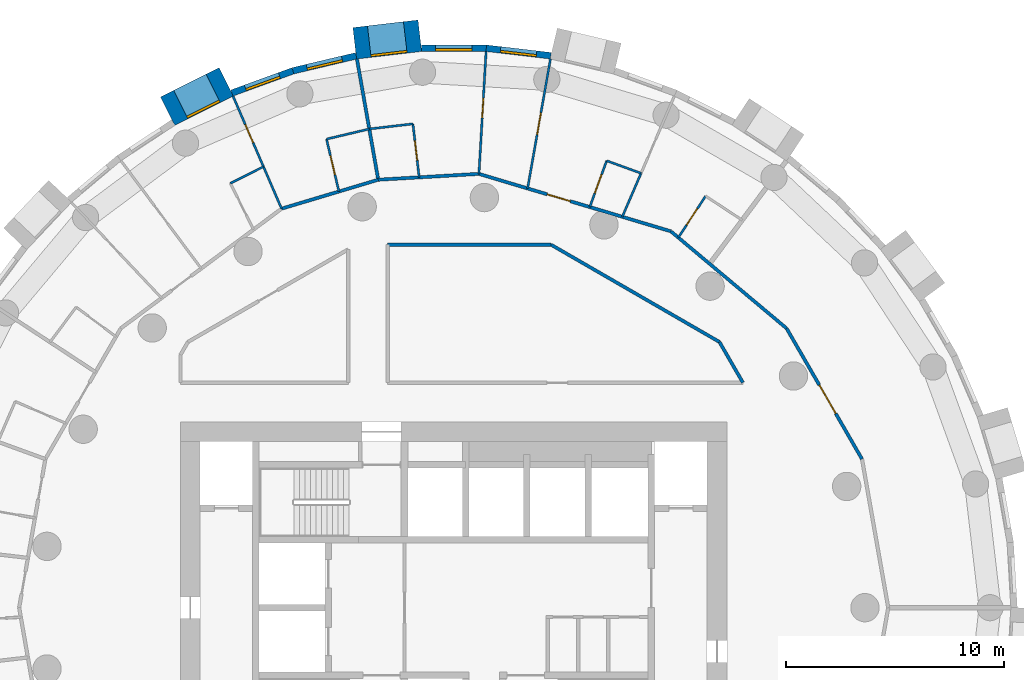
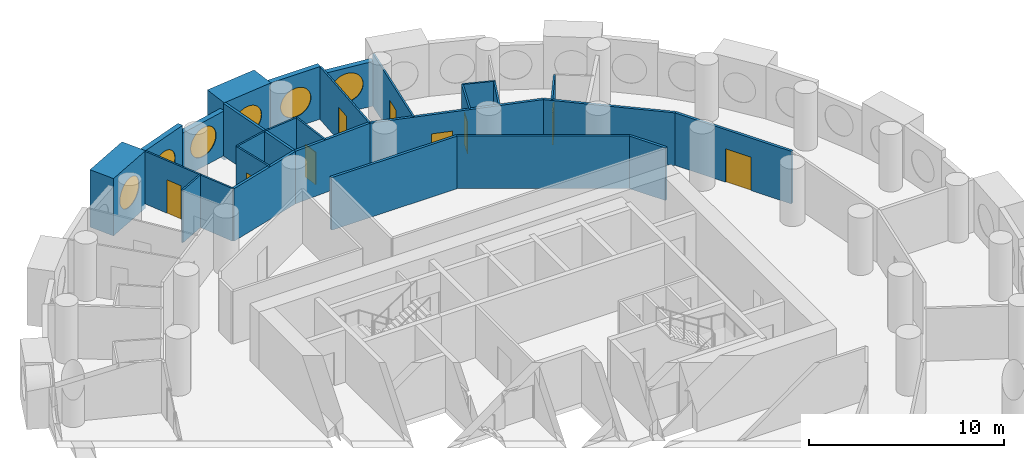
# One storey, part 7 of 10: 28 walls, 9 doors, 6 windows, 15 openings.
"""IFC4 building model written with IfcOpenShell, lengths in metres."""

from ifc_helpers import new_model, si_unit, direction, frame, frame_2d, origin, origin_2d, place, context, subcontext, project, spatial, rectangle, circle, extrude, material, layer, layer_set, type_object, element, fill, save


model = new_model("IFC4")

# Units and contexts
model_context = context("Model", 3, precision=1e-05, world=origin(), true_north=direction((0.0, 1.0)))
body_context = subcontext(model_context, "Body", "Model", "MODEL_VIEW")
ifc_project = project(units=[si_unit("LENGTHUNIT", "METRE"), si_unit("AREAUNIT", "SQUARE_METRE"), si_unit("VOLUMEUNIT", "CUBIC_METRE"), si_unit("PLANEANGLEUNIT", "RADIAN"), si_unit("MASSUNIT", "GRAM", prefix="KILO")], contexts=[model_context])

# Site, building, storey
site_placement = place(None, origin())
site = spatial("IfcSite", under=ifc_project, at=site_placement, CompositionType="ELEMENT")
building_placement = place(site_placement, origin())
building = spatial("IfcBuilding", under=site, at=building_placement, Name="Tracery Tower", CompositionType="ELEMENT")
storey_placement = place(building_placement, frame((0.0, 0.0, 136.800048828125)))
storey = spatial("IfcBuildingStorey", under=building, at=storey_placement, Name="L34", CompositionType="ELEMENT", Elevation=136.800048828125)

# Wall, opening, window
ifc_material_1 = material(Name="Precast concrete C50/60", Category="concrete")
ifc_layer_1 = layer(ifc_material_1, 1.449951171875)
ifc_layer_set_1 = layer_set([ifc_layer_1], Name="Deep-set bay unit 3000 x 3600, slab edge 300")
wall_type_1 = type_object("IfcWallType", Name="Deep-set bay unit 3000 x 3600, slab edge 300", PredefinedType="ELEMENTEDWALL", material=ifc_layer_set_1)
wall_1_placement = place(storey_placement, frame((-1.54931640625, 26.17626953125, -0.300048828125), z_axis=(0.0, 0.0, 1.0), x_axis=(-0.9932342274, -0.116128246006, 0.0)))
wall_1 = element("IfcWall", 1, at=wall_1_placement, inside=storey, type_object=wall_type_1, Name="Deep-set bay unit 15 at L34", PredefinedType="ELEMENTEDWALL", context=body_context, shape_type="SweptSolid", body=[
    extrude(rectangle(XDim=3.0, YDim=1.449951171875, at=frame_2d((1.5, 0.0))), origin(), (0.0, 0.0, 1.0), 3.60009765625),
])
opening_1_placement = place(wall_1_placement, frame((1.5, 0.0, 1.85009765625)))
opening_1 = element("IfcOpeningElement", 2, at=opening_1_placement, cuts=wall_1, Name="Opening WN1", PredefinedType="OPENING", context=body_context, shape_type="SweptSolid", body=[
    extrude(circle(Radius=0.9000244140625, at=origin_2d()), frame((0.0, 0.73486328125, 0.0), z_axis=(0.0, -1.0, 0.0), x_axis=(1.0, 0.0, 0.0)), (0.0, 0.0, 1.0), 1.469970703125),
])
ifc_material_2 = material(Name="Aluminium frame with tinted double glazing", Category="aluminium")
window_type = type_object("IfcWindowType", Name="Round window 1800", PartitioningType="SINGLE_PANEL", PredefinedType="WINDOW", material=ifc_material_2)
window_1_placement = place(opening_1_placement, origin())
window_1 = element("IfcWindow", 3, at=window_1_placement, inside=storey, type_object=window_type, Name="Round window 15 at L34", OverallHeight=1.800048828125, OverallWidth=1.800048828125, PartitioningType="SINGLE_PANEL", PredefinedType="WINDOW", context=body_context, shape_type="SweptSolid", body=[
    extrude(circle(Radius=0.9000244140625, at=origin_2d()), frame((0.0, 0.69482421875, 0.0), z_axis=(0.0, -1.0, 0.0), x_axis=(1.0, 0.0, 0.0)), (0.0, 0.0, 1.0), 0.10009765625),
])
fill(opening_1, window_1)

wall_2_placement = place(storey_placement, frame((-10.40869140625, 24.067626953125, -0.300048828125), z_axis=(0.0, 0.0, 1.0), x_axis=(-0.893628249713, -0.448807922518, 0.0)))
wall_2 = element("IfcWall", 4, at=wall_2_placement, inside=storey, type_object=wall_type_1, Name="Deep-set bay unit 18 at L34", PredefinedType="ELEMENTEDWALL", context=body_context, shape_type="SweptSolid", body=[
    extrude(rectangle(XDim=3.0, YDim=1.449951171875, at=frame_2d((1.5, 0.0))), origin(), (0.0, 0.0, 1.0), 3.60009765625),
])
opening_2_placement = place(wall_2_placement, frame((1.5, 0.0, 1.85009765625)))
opening_2 = element("IfcOpeningElement", 5, at=opening_2_placement, cuts=wall_2, Name="Opening WN1", PredefinedType="OPENING", context=body_context, shape_type="SweptSolid", body=[
    extrude(circle(Radius=0.9000244140625, at=origin_2d()), frame((0.0, 0.73486328125, 0.0), z_axis=(0.0, -1.0, 0.0), x_axis=(1.0, 0.0, 0.0)), (0.0, 0.0, 1.0), 1.469970703125),
])
window_2_placement = place(opening_2_placement, origin())
window_2 = element("IfcWindow", 6, at=window_2_placement, inside=storey, type_object=window_type, Name="Round window 18 at L34", OverallHeight=1.800048828125, OverallWidth=1.800048828125, PartitioningType="SINGLE_PANEL", PredefinedType="WINDOW", context=body_context, shape_type="SweptSolid", body=[
    extrude(circle(Radius=0.9000244140625, at=origin_2d()), frame((0.0, 0.69482421875, 0.0), z_axis=(0.0, -1.0, 0.0), x_axis=(1.0, 0.0, 0.0)), (0.0, 0.0, 1.0), 0.10009765625),
])
fill(opening_2, window_2)

ifc_material_3 = material(Name="Precast concrete C50/60", Category="concrete")
ifc_layer_2 = layer(ifc_material_3, 0.300048828125)
ifc_layer_set_2 = layer_set([ifc_layer_2], Name="Facade panel 3000 x 2800")
wall_type_2 = type_object("IfcWallType", Name="Facade panel 3000 x 2800", PredefinedType="SOLIDWALL", material=ifc_layer_set_2)
wall_3_placement = place(storey_placement, frame((4.444091796875, 25.259033203125, 0.0), z_axis=(0.0, 0.0, 1.0), x_axis=(-0.993245010522, 0.1160359818, 0.0)))
wall_3 = element("IfcWall", 7, at=wall_3_placement, inside=storey, type_object=wall_type_2, Name="Facade panel 13 at L34", PredefinedType="SOLIDWALL", context=body_context, shape_type="SweptSolid", body=[
    extrude(rectangle(XDim=2.972900390625, YDim=0.300048828125, at=frame_2d((1.486328125, 0.0))), origin(), (0.0, 0.0, 1.0), 2.800048828125),
])
opening_3_placement = place(wall_3_placement, frame((1.486328125, 0.0, 1.5498046875)))
opening_3 = element("IfcOpeningElement", 8, at=opening_3_placement, cuts=wall_3, Name="Opening WN1", PredefinedType="OPENING", context=body_context, shape_type="SweptSolid", body=[
    extrude(circle(Radius=0.9000244140625, at=origin_2d()), frame((0.0, 0.159912109375, 0.0), z_axis=(0.0, -1.0, 0.0), x_axis=(1.0, 0.0, 0.0)), (0.0, 0.0, 1.0), 0.320068359375),
])
window_3_placement = place(opening_3_placement, origin())
window_3 = element("IfcWindow", 9, at=window_3_placement, inside=storey, type_object=window_type, Name="Round window 13 at L34", OverallHeight=1.800048828125, OverallWidth=1.800048828125, PartitioningType="SINGLE_PANEL", PredefinedType="WINDOW", context=body_context, shape_type="SweptSolid", body=[
    extrude(circle(Radius=0.9000244140625, at=origin_2d()), frame((0.0, 0.1201171875, 0.0), z_axis=(0.0, -1.0, 0.0), x_axis=(1.0, 0.0, 0.0)), (0.0, 0.0, 1.0), 0.10009765625),
])
fill(opening_3, window_3)

wall_4_placement = place(storey_placement, frame((-4.463134765625, 25.255615234375, 0.0), z_axis=(0.0, 0.0, 1.0), x_axis=(-0.973045378923, -0.230613725862, 0.0)))
wall_4 = element("IfcWall", 10, at=wall_4_placement, inside=storey, type_object=wall_type_2, Name="Facade panel 16 at L34", PredefinedType="SOLIDWALL", context=body_context, shape_type="SweptSolid", body=[
    extrude(rectangle(XDim=2.97265625, YDim=0.300048828125, at=frame_2d((1.486328125, 0.0))), origin(), (0.0, 0.0, 1.0), 2.800048828125),
])
opening_4_placement = place(wall_4_placement, frame((1.486328125, 0.0, 1.5498046875)))
opening_4 = element("IfcOpeningElement", 11, at=opening_4_placement, cuts=wall_4, Name="Opening WN1", PredefinedType="OPENING", context=body_context, shape_type="SweptSolid", body=[
    extrude(circle(Radius=0.9000244140625, at=origin_2d()), frame((0.0, 0.159912109375, 0.0), z_axis=(0.0, -1.0, 0.0), x_axis=(1.0, 0.0, 0.0)), (0.0, 0.0, 1.0), 0.320068359375),
])
window_4_placement = place(opening_4_placement, origin())
window_4 = element("IfcWindow", 12, at=window_4_placement, inside=storey, type_object=window_type, Name="Round window 16 at L34", OverallHeight=1.800048828125, OverallWidth=1.800048828125, PartitioningType="SINGLE_PANEL", PredefinedType="WINDOW", context=body_context, shape_type="SweptSolid", body=[
    extrude(circle(Radius=0.9000244140625, at=origin_2d()), frame((0.0, 0.1201171875, 0.0), z_axis=(0.0, -1.0, 0.0), x_axis=(1.0, 0.0, 0.0)), (0.0, 0.0, 1.0), 0.10009765625),
])
fill(opening_4, window_4)

ifc_material_4 = material(Name="Precast concrete C50/60", Category="concrete")
ifc_layer_3 = layer(ifc_material_4, 0.300048828125)
ifc_layer_set_3 = layer_set([ifc_layer_3], Name="Facade panel 3000 x 3300")
wall_type_3 = type_object("IfcWallType", Name="Facade panel 3000 x 3300", PredefinedType="SOLIDWALL", material=ifc_layer_set_3)
wall_5_placement = place(storey_placement, frame((1.4912109375, 25.60400390625, 0.0), z_axis=(0.0, 0.0, 1.0), x_axis=(-1.0, 0.0, 0.0)))
wall_5 = element("IfcWall", 13, at=wall_5_placement, inside=storey, type_object=wall_type_3, Name="Facade panel 14 at L34", PredefinedType="SOLIDWALL", context=body_context, shape_type="SweptSolid", body=[
    extrude(rectangle(XDim=2.972900390625, YDim=0.300048828125, at=frame_2d((1.486328125, 0.0))), origin(), (0.0, 0.0, 1.0), 3.300048828125),
])
opening_5_placement = place(wall_5_placement, frame((1.486328125, 0.0, 1.5498046875)))
opening_5 = element("IfcOpeningElement", 14, at=opening_5_placement, cuts=wall_5, Name="Opening WN1", PredefinedType="OPENING", context=body_context, shape_type="SweptSolid", body=[
    extrude(circle(Radius=0.9000244140625, at=origin_2d()), frame((0.0, 0.159912109375, 0.0), z_axis=(0.0, -1.0, 0.0), x_axis=(1.0, 0.0, 0.0)), (0.0, 0.0, 1.0), 0.320068359375),
])
window_5_placement = place(opening_5_placement, origin())
window_5 = element("IfcWindow", 15, at=window_5_placement, inside=storey, type_object=window_type, Name="Round window 14 at L34", OverallHeight=1.800048828125, OverallWidth=1.800048828125, PartitioningType="SINGLE_PANEL", PredefinedType="WINDOW", context=body_context, shape_type="SweptSolid", body=[
    extrude(circle(Radius=0.9000244140625, at=origin_2d()), frame((0.0, 0.1201171875, 0.0), z_axis=(0.0, -1.0, 0.0), x_axis=(1.0, 0.0, 0.0)), (0.0, 0.0, 1.0), 0.10009765625),
])
fill(opening_5, window_5)

wall_6_placement = place(storey_placement, frame((-7.355712890625, 24.570068359375, 0.0), z_axis=(0.0, 0.0, 1.0), x_axis=(-0.939690282133, -0.342026568652, 0.0)))
wall_6 = element("IfcWall", 16, at=wall_6_placement, inside=storey, type_object=wall_type_3, Name="Facade panel 17 at L34", PredefinedType="SOLIDWALL", context=body_context, shape_type="SweptSolid", body=[
    extrude(rectangle(XDim=2.972900390625, YDim=0.300048828125, at=frame_2d((1.486328125, 0.0))), origin(), (0.0, 0.0, 1.0), 3.300048828125),
])
opening_6_placement = place(wall_6_placement, frame((1.486328125, 0.0, 1.5498046875)))
opening_6 = element("IfcOpeningElement", 17, at=opening_6_placement, cuts=wall_6, Name="Opening WN1", PredefinedType="OPENING", context=body_context, shape_type="SweptSolid", body=[
    extrude(circle(Radius=0.9000244140625, at=origin_2d()), frame((0.0, 0.159912109375, 0.0), z_axis=(0.0, -1.0, 0.0), x_axis=(1.0, 0.0, 0.0)), (0.0, 0.0, 1.0), 0.320068359375),
])
window_6_placement = place(opening_6_placement, origin())
window_6 = element("IfcWindow", 18, at=window_6_placement, inside=storey, type_object=window_type, Name="Round window 17 at L34", OverallHeight=1.800048828125, OverallWidth=1.800048828125, PartitioningType="SINGLE_PANEL", PredefinedType="WINDOW", context=body_context, shape_type="SweptSolid", body=[
    extrude(circle(Radius=0.9000244140625, at=origin_2d()), frame((0.0, 0.1201171875, 0.0), z_axis=(0.0, -1.0, 0.0), x_axis=(1.0, 0.0, 0.0)), (0.0, 0.0, 1.0), 0.10009765625),
])
fill(opening_6, window_6)

# Wall, opening, door
ifc_material_5 = material(Name="Plasterboard on steel studs", Category="steel")
ifc_layer_4 = layer(ifc_material_5, 0.10009765625)
ifc_layer_set_4 = layer_set([ifc_layer_4], Name="Partition 100 stud")
wall_type_4 = type_object("IfcWallType", Name="Partition 100 stud", PredefinedType="PARTITIONING", material=ifc_layer_set_4)
wall_7_placement = place(storey_placement, frame((3.383056640625, 19.18701171875, 0.0), z_axis=(0.0, 0.0, 1.0), x_axis=(0.173732074199, 0.984792956105, 0.0)))
wall_7 = element("IfcWall", 19, at=wall_7_placement, inside=storey, type_object=wall_type_4, Name="Stud partition RB2-042", PredefinedType="PARTITIONING", context=body_context, shape_type="SweptSolid", body=[
    extrude(rectangle(XDim=6.0146484375, YDim=0.10009765625, at=frame_2d((3.00732421875, 0.0))), origin(), (0.0, 0.0, 1.0), 3.300048828125),
])
opening_7_placement = place(wall_7_placement, frame((2.507080078125, 0.0, 0.0)))
opening_7 = element("IfcOpeningElement", 20, at=opening_7_placement, cuts=wall_7, Name="Opening RB2-07", PredefinedType="OPENING", context=body_context, shape_type="SweptSolid", body=[
    extrude(rectangle(XDim=1.0, YDim=2.0400390625, at=frame_2d((0.5, 1.02001953125))), frame((0.0, 0.050048828125, 0.0), z_axis=(0.0, -1.0, 0.0), x_axis=(1.0, 0.0, 0.0)), (0.0, 0.0, 1.0), 0.10009765625),
])
ifc_material_6 = material(Name="Timber door leaf", Category="wood")
door_type_1 = type_object("IfcDoorType", Name="Door communal room 1000", OperationType="NOTDEFINED", PredefinedType="DOOR", material=ifc_material_6)
door_1_placement = place(opening_7_placement, origin())
door_1 = element("IfcDoor", 21, at=door_1_placement, inside=storey, type_object=door_type_1, Name="Communal room door RB2-07", OperationType="SINGLE_SWING_LEFT", OverallHeight=2.0400390625, OverallWidth=1.0, PredefinedType="DOOR", context=body_context, shape_type="SweptSolid", body=[
    extrude(rectangle(XDim=1.0, YDim=2.0400390625, at=frame_2d((0.5, 1.02001953125))), frame((0.0, 0.02490234375, 0.0), z_axis=(0.0, -1.0, 0.0), x_axis=(1.0, 0.0, 0.0)), (0.0, 0.0, 1.0), 0.050048828125),
])
fill(opening_7, door_1)

wall_8_placement = place(storey_placement, frame((1.156005859375, 19.85400390625, 0.0), z_axis=(0.0, 0.0, 1.0), x_axis=(0.058275543564, 0.998300536423, 0.0)))
wall_8 = element("IfcWall", 22, at=wall_8_placement, inside=storey, type_object=wall_type_4, Name="Stud partition RB2-046", PredefinedType="PARTITIONING", context=body_context, shape_type="SweptSolid", body=[
    extrude(rectangle(XDim=5.609619140625, YDim=0.10009765625, at=frame_2d((2.8046875, 0.0))), origin(), (0.0, 0.0, 1.0), 3.300048828125),
])
opening_8_placement = place(wall_8_placement, frame((2.570068359375, 0.0, 0.0)))
opening_8 = element("IfcOpeningElement", 23, at=opening_8_placement, cuts=wall_8, Name="Opening RB2-11", PredefinedType="OPENING", context=body_context, shape_type="SweptSolid", body=[
    extrude(rectangle(XDim=0.89990234375, YDim=2.10009765625, at=frame_2d((0.449951171875, 1.050048828125))), frame((0.0, 0.050048828125, 0.0), z_axis=(0.0, -1.0, 0.0), x_axis=(1.0, 0.0, 0.0)), (0.0, 0.0, 1.0), 0.10009765625),
])
ifc_material_7 = material(Name="Timber door leaf", Category="wood")
door_type_2 = type_object("IfcDoorType", Name="Door bedroom 900", OperationType="NOTDEFINED", PredefinedType="DOOR", material=ifc_material_7)
door_2_placement = place(opening_8_placement, origin())
door_2 = element("IfcDoor", 24, at=door_2_placement, inside=storey, type_object=door_type_2, Name="Bedroom door RB2-11", OperationType="SINGLE_SWING_RIGHT", OverallHeight=2.10009765625, OverallWidth=0.89990234375, PredefinedType="DOOR", context=body_context, shape_type="SweptSolid", body=[
    extrude(rectangle(XDim=0.89990234375, YDim=2.10009765625, at=frame_2d((0.449951171875, 1.050048828125))), frame((0.0, 0.02490234375, 0.0), z_axis=(0.0, -1.0, 0.0), x_axis=(1.0, 0.0, 0.0)), (0.0, 0.0, 1.0), 0.050048828125),
])
fill(opening_8, door_2)

wall_9_placement = place(storey_placement, frame((-10.09912109375, 23.412109375, 0.0), z_axis=(0.0, 0.0, 1.0), x_axis=(0.396231159595, -0.918150787271, 0.0)))
wall_9 = element("IfcWall", 25, at=wall_9_placement, inside=storey, type_object=wall_type_4, Name="Stud partition RB2-056", PredefinedType="PARTITIONING", context=body_context, shape_type="SweptSolid", body=[
    extrude(rectangle(XDim=3.515869140625, YDim=0.10009765625, at=frame_2d((1.7578125, 0.0))), origin(), (0.0, 0.0, 1.0), 3.300048828125),
])
opening_9_placement = place(wall_9_placement, frame((1.4189453125, 0.0, 0.0)))
opening_9 = element("IfcOpeningElement", 26, at=opening_9_placement, cuts=wall_9, Name="Opening RB2-16", PredefinedType="OPENING", context=body_context, shape_type="SweptSolid", body=[
    extrude(rectangle(XDim=0.89990234375, YDim=2.10009765625, at=frame_2d((0.449951171875, 1.050048828125))), frame((0.0, 0.050048828125, 0.0), z_axis=(0.0, -1.0, 0.0), x_axis=(1.0, 0.0, 0.0)), (0.0, 0.0, 1.0), 0.10009765625),
])
door_3_placement = place(opening_9_placement, origin())
door_3 = element("IfcDoor", 27, at=door_3_placement, inside=storey, type_object=door_type_2, Name="Bedroom door RB2-16", OperationType="SINGLE_SWING_RIGHT", OverallHeight=2.10009765625, OverallWidth=0.89990234375, PredefinedType="DOOR", context=body_context, shape_type="SweptSolid", body=[
    extrude(rectangle(XDim=0.89990234375, YDim=2.10009765625, at=frame_2d((0.449951171875, 1.050048828125))), frame((0.0, 0.02490234375, 0.0), z_axis=(0.0, -1.0, 0.0), x_axis=(1.0, 0.0, 0.0)), (0.0, 0.0, 1.0), 0.050048828125),
])
fill(opening_9, door_3)

# Wall
ifc_material_8 = material(Name="Plasterboard on steel studs", Category="steel")
ifc_layer_5 = layer(ifc_material_8, 0.10009765625)
ifc_layer_set_5 = layer_set([ifc_layer_5], Name="Partition 100 wet wall")
wall_type_5 = type_object("IfcWallType", Name="Partition 100 wet wall", PredefinedType="PARTITIONING", material=ifc_layer_set_5)
wall_10_placement = place(storey_placement, frame((7.0009765625, 20.455078125, 0.0), z_axis=(0.0, 0.0, 1.0), x_axis=(0.939550801119, -0.342409538588, 0.0)))
element("IfcWall", 28, at=wall_10_placement, inside=storey, type_object=wall_type_5, Name="Wet wall RB2-043", PredefinedType="PARTITIONING", context=body_context, shape_type="SweptSolid", body=[
    extrude(rectangle(XDim=1.67626953125, YDim=0.10009765625, at=frame_2d((0.838134765625, 0.0))), origin(), (0.0, 0.0, 1.0), 3.300048828125),
])

# Wall, opening, door
wall_11_placement = place(storey_placement, frame((6.22900390625, 18.3349609375, 0.0), z_axis=(0.0, 0.0, 1.0), x_axis=(0.342142678062, 0.939648012741, 0.0)))
wall_11 = element("IfcWall", 29, at=wall_11_placement, inside=storey, type_object=wall_type_5, Name="Wet wall RB2-044", PredefinedType="PARTITIONING", context=body_context, shape_type="SweptSolid", body=[
    extrude(rectangle(XDim=2.25634765625, YDim=0.10009765625, at=frame_2d((1.128173828125, 0.0))), origin(), (0.0, 0.0, 1.0), 3.300048828125),
])
opening_10_placement = place(wall_11_placement, frame((0.67822265625, 0.0, 0.0)))
opening_10 = element("IfcOpeningElement", 30, at=opening_10_placement, cuts=wall_11, Name="Opening RB2-08", PredefinedType="OPENING", context=body_context, shape_type="SweptSolid", body=[
    extrude(rectangle(XDim=0.89990234375, YDim=2.0, at=frame_2d((0.449951171875, 1.0))), frame((0.0, 0.050048828125, 0.0), z_axis=(0.0, -1.0, 0.0), x_axis=(1.0, 0.0, 0.0)), (0.0, 0.0, 1.0), 0.10009765625),
])
ifc_material_9 = material(Name="Timber door leaf", Category="wood")
door_type_3 = type_object("IfcDoorType", Name="Door shower room 900", OperationType="NOTDEFINED", PredefinedType="DOOR", material=ifc_material_9)
door_4_placement = place(opening_10_placement, origin())
door_4 = element("IfcDoor", 31, at=door_4_placement, inside=storey, type_object=door_type_3, Name="Shower room door RB2-08", OperationType="SINGLE_SWING_LEFT", OverallHeight=2.0, OverallWidth=0.89990234375, PredefinedType="DOOR", context=body_context, shape_type="SweptSolid", body=[
    extrude(rectangle(XDim=0.89990234375, YDim=2.0, at=frame_2d((0.449951171875, 1.0))), frame((0.0, 0.02490234375, 0.0), z_axis=(0.0, -1.0, 0.0), x_axis=(1.0, 0.0, 0.0)), (0.0, 0.0, 1.0), 0.050048828125),
])
fill(opening_10, door_4)

# Wall
wall_12_placement = place(storey_placement, frame((7.717041015625, 17.889892578125, 0.0), z_axis=(0.0, 0.0, 1.0), x_axis=(0.396065054916, 0.9182224525, 0.0)))
element("IfcWall", 32, at=wall_12_placement, inside=storey, type_object=wall_type_5, Name="Wet wall RB2-047", PredefinedType="PARTITIONING", context=body_context, shape_type="SweptSolid", body=[
    extrude(rectangle(XDim=2.16845703125, YDim=0.10009765625, at=frame_2d((1.084228515625, 0.0))), origin(), (0.0, 0.0, 1.0), 3.300048828125),
])

# Wall, opening, door
wall_13_placement = place(storey_placement, frame((10.281982421875, 16.93896484375, 0.0), z_axis=(0.0, 0.0, 1.0), x_axis=(0.549730960803, 0.83534176882, 0.0)))
wall_13 = element("IfcWall", 33, at=wall_13_placement, inside=storey, type_object=wall_type_5, Name="Wet wall RB2-049", PredefinedType="PARTITIONING", context=body_context, shape_type="SweptSolid", body=[
    extrude(rectangle(XDim=2.27197265625, YDim=0.10009765625, at=frame_2d((1.135986328125, 0.0))), origin(), (0.0, 0.0, 1.0), 3.300048828125),
])
opening_11_placement = place(wall_13_placement, frame((0.68603515625, 0.0, 0.0)))
opening_11 = element("IfcOpeningElement", 34, at=opening_11_placement, cuts=wall_13, Name="Opening RB2-10", PredefinedType="OPENING", context=body_context, shape_type="SweptSolid", body=[
    extrude(rectangle(XDim=0.89990234375, YDim=2.0400390625, at=frame_2d((0.449951171875, 1.02001953125))), frame((0.0, 0.050048828125, 0.0), z_axis=(0.0, -1.0, 0.0), x_axis=(1.0, 0.0, 0.0)), (0.0, 0.0, 1.0), 0.10009765625),
])
ifc_material_10 = material(Name="Timber door leaf", Category="wood")
door_type_4 = type_object("IfcDoorType", Name="Door en-suite 900", OperationType="NOTDEFINED", PredefinedType="DOOR", material=ifc_material_10)
door_5_placement = place(opening_11_placement, origin())
door_5 = element("IfcDoor", 35, at=door_5_placement, inside=storey, type_object=door_type_4, Name="En-suite door RB2-10", OperationType="SINGLE_SWING_LEFT", OverallHeight=2.0400390625, OverallWidth=0.89990234375, PredefinedType="DOOR", context=body_context, shape_type="SweptSolid", body=[
    extrude(rectangle(XDim=0.89990234375, YDim=2.0400390625, at=frame_2d((0.449951171875, 1.02001953125))), frame((0.0, 0.02490234375, 0.0), z_axis=(0.0, -1.0, 0.0), x_axis=(1.0, 0.0, 0.0)), (0.0, 0.0, 1.0), 0.050048828125),
])
fill(opening_11, door_5)

wall_14_placement = place(storey_placement, frame((-1.865966796875, 22.14208984375, 0.0), z_axis=(0.0, 0.0, 1.0), x_axis=(0.116042011614, -0.99324430607, 0.0)))
wall_14 = element("IfcWall", 36, at=wall_14_placement, inside=storey, type_object=wall_type_5, Name="Wet wall RB2-050", PredefinedType="PARTITIONING", context=body_context, shape_type="SweptSolid", body=[
    extrude(rectangle(XDim=2.463623046875, YDim=0.10009765625, at=frame_2d((1.23193359375, 0.0))), origin(), (0.0, 0.0, 1.0), 3.300048828125),
])
opening_12_placement = place(wall_14_placement, frame((0.78173828125, 0.0, 0.0)))
opening_12 = element("IfcOpeningElement", 37, at=opening_12_placement, cuts=wall_14, Name="Opening RB2-12", PredefinedType="OPENING", context=body_context, shape_type="SweptSolid", body=[
    extrude(rectangle(XDim=0.89990234375, YDim=2.0400390625, at=frame_2d((0.449951171875, 1.02001953125))), frame((0.0, 0.050048828125, 0.0), z_axis=(0.0, -1.0, 0.0), x_axis=(1.0, 0.0, 0.0)), (0.0, 0.0, 1.0), 0.10009765625),
])
door_6_placement = place(opening_12_placement, origin())
door_6 = element("IfcDoor", 38, at=door_6_placement, inside=storey, type_object=door_type_4, Name="En-suite door RB2-12", OperationType="SINGLE_SWING_RIGHT", OverallHeight=2.0400390625, OverallWidth=0.89990234375, PredefinedType="DOOR", context=body_context, shape_type="SweptSolid", body=[
    extrude(rectangle(XDim=0.89990234375, YDim=2.0400390625, at=frame_2d((0.449951171875, 1.02001953125))), frame((0.0, 0.02490234375, 0.0), z_axis=(0.0, -1.0, 0.0), x_axis=(1.0, 0.0, 0.0)), (0.0, 0.0, 1.0), 0.050048828125),
])
fill(opening_12, door_6)

# Walls
wall_15_placement = place(storey_placement, frame((-3.863037109375, 21.908935546875, 0.0), z_axis=(0.0, 0.0, 1.0), x_axis=(0.993253818555, 0.115960561946, 0.0)))
element("IfcWall", 39, at=wall_15_placement, inside=storey, type_object=wall_type_5, Name="Wet wall RB2-051", PredefinedType="PARTITIONING", context=body_context, shape_type="SweptSolid", body=[
    extrude(rectangle(XDim=2.0107421875, YDim=0.10009765625, at=frame_2d((1.00537109375, 0.0))), origin(), (0.0, 0.0, 1.0), 3.300048828125),
])
wall_16_placement = place(storey_placement, frame((-10.221923828125, 19.423095703125, 0.0), z_axis=(0.0, 0.0, 1.0), x_axis=(0.893706346613, 0.448652388854, 0.0)))
element("IfcWall", 40, at=wall_16_placement, inside=storey, type_object=wall_type_5, Name="Wet wall RB2-054", PredefinedType="PARTITIONING", context=body_context, shape_type="SweptSolid", body=[
    extrude(rectangle(XDim=1.696044921875, YDim=0.10009765625, at=frame_2d((0.84814453125, 0.0))), origin(), (0.0, 0.0, 1.0), 3.300048828125),
])
wall_17_placement = place(storey_placement, frame((-8.7060546875, 20.18408203125, 0.0), z_axis=(0.0, 0.0, 1.0), x_axis=(0.395902233763, -0.918292666475, 0.0)))
element("IfcWall", 41, at=wall_17_placement, inside=storey, type_object=wall_type_5, Name="Wet wall RB2-058", PredefinedType="PARTITIONING", context=body_context, shape_type="SweptSolid", body=[
    extrude(rectangle(XDim=2.09423828125, YDim=0.10009765625, at=frame_2d((1.047119140625, 0.0))), origin(), (0.0, 0.0, 1.0), 3.300048828125),
])
wall_18_placement = place(storey_placement, frame((-5.820068359375, 21.445068359375, 0.0), z_axis=(0.0, 0.0, 1.0), x_axis=(0.973040155258, 0.230635765343, 0.0)))
element("IfcWall", 42, at=wall_18_placement, inside=storey, type_object=wall_type_5, Name="Wet wall RB2-059", PredefinedType="PARTITIONING", context=body_context, shape_type="SweptSolid", body=[
    extrude(rectangle(XDim=2.01123046875, YDim=0.10009765625, at=frame_2d((1.005615234375, 0.0))), origin(), (0.0, 0.0, 1.0), 3.300048828125),
])

# Wall, opening, door
wall_19_placement = place(storey_placement, frame((-5.820068359375, 21.445068359375, 0.0), z_axis=(0.0, 0.0, 1.0), x_axis=(0.230535504809, -0.973063914151, 0.0)))
wall_19 = element("IfcWall", 43, at=wall_19_placement, inside=storey, type_object=wall_type_5, Name="Wet wall RB2-060", PredefinedType="PARTITIONING", context=body_context, shape_type="SweptSolid", body=[
    extrude(rectangle(XDim=2.46435546875, YDim=0.10009765625, at=frame_2d((1.232177734375, 0.0))), origin(), (0.0, 0.0, 1.0), 3.300048828125),
])
opening_13_placement = place(wall_19_placement, frame((0.781982421875, 0.0, 0.0)))
opening_13 = element("IfcOpeningElement", 44, at=opening_13_placement, cuts=wall_19, Name="Opening RB2-17", PredefinedType="OPENING", context=body_context, shape_type="SweptSolid", body=[
    extrude(rectangle(XDim=0.89990234375, YDim=2.0400390625, at=frame_2d((0.449951171875, 1.02001953125))), frame((0.0, 0.050048828125, 0.0), z_axis=(0.0, -1.0, 0.0), x_axis=(1.0, 0.0, 0.0)), (0.0, 0.0, 1.0), 0.10009765625),
])
door_7_placement = place(opening_13_placement, origin())
door_7 = element("IfcDoor", 45, at=door_7_placement, inside=storey, type_object=door_type_4, Name="En-suite door RB2-17", OperationType="SINGLE_SWING_LEFT", OverallHeight=2.0400390625, OverallWidth=0.89990234375, PredefinedType="DOOR", context=body_context, shape_type="SweptSolid", body=[
    extrude(rectangle(XDim=0.89990234375, YDim=2.0400390625, at=frame_2d((0.449951171875, 1.02001953125))), frame((0.0, 0.02490234375, 0.0), z_axis=(0.0, -1.0, 0.0), x_axis=(1.0, 0.0, 0.0)), (0.0, 0.0, 1.0), 0.050048828125),
])
fill(opening_13, door_7)

# Walls
ifc_material_11 = material(Name="Plasterboard on steel studs", Category="steel")
ifc_layer_6 = layer(ifc_material_11, 0.14990234375)
ifc_layer_set_6 = layer_set([ifc_layer_6], Name="Partition 150 acoustic unit wall")
wall_type_6 = type_object("IfcWallType", Name="Partition 150 acoustic unit wall", PredefinedType="PARTITIONING", material=ifc_layer_set_6)
wall_20_placement = place(storey_placement, frame((-4.427978515625, 25.110107421875, 0.0), z_axis=(0.0, 0.0, 1.0), x_axis=(0.17382754149, -0.984776109489, 0.0)))
element("IfcWall", 46, at=wall_20_placement, inside=storey, type_object=wall_type_6, Name="Unit wall RB2-052", PredefinedType="PARTITIONING", context=body_context, shape_type="SweptSolid", body=[
    extrude(rectangle(XDim=5.609619140625, YDim=0.14990234375, at=frame_2d((2.8046875, 0.0))), origin(), (0.0, 0.0, 1.0), 3.300048828125),
])
ifc_material_12 = material(Name="Plasterboard on steel studs", Category="steel")
ifc_layer_7 = layer(ifc_material_12, 0.14990234375)
ifc_layer_set_7 = layer_set([ifc_layer_7], Name="Partition 150 corridor wall")
wall_type_7 = type_object("IfcWallType", Name="Partition 150 corridor wall", PredefinedType="PARTITIONING", material=ifc_layer_set_7)
wall_21_placement = place(storey_placement, frame((12.162109375, 12.162109375, 0.0), z_axis=(0.0, 0.0, 1.0), x_axis=(0.499961633463, -0.866047553582, 0.0)))
element("IfcWall", 47, at=wall_21_placement, inside=storey, type_object=wall_type_7, Name="Corridor wall RB2-005", PredefinedType="PARTITIONING", context=body_context, shape_type="SweptSolid", body=[
    extrude(rectangle(XDim=2.150146484375, YDim=0.14990234375, at=frame_2d((1.0751953125, 0.0))), origin(), (0.0, 0.0, 1.0), 3.300048828125),
])
wall_22_placement = place(storey_placement, frame((9.943359375, 17.22216796875, 0.0), z_axis=(0.0, 0.0, 1.0), x_axis=(0.766192104565, -0.642611592567, 0.0)))
element("IfcWall", 48, at=wall_22_placement, inside=storey, type_object=wall_type_7, Name="Corridor wall RB2-007", PredefinedType="PARTITIONING", context=body_context, shape_type="SweptSolid", body=[
    extrude(rectangle(XDim=6.906494140625, YDim=0.14990234375, at=frame_2d((3.453125, 0.0))), origin(), (0.0, 0.0, 1.0), 3.300048828125),
])

# Wall, opening, door
wall_23_placement = place(storey_placement, frame((15.235107421875, 12.783935546875, 0.0), z_axis=(0.0, 0.0, 1.0), x_axis=(0.499914202267, -0.866074933462, 0.0)))
wall_23 = element("IfcWall", 49, at=wall_23_placement, inside=storey, type_object=wall_type_7, Name="Corridor wall RB2-008", PredefinedType="PARTITIONING", context=body_context, shape_type="SweptSolid", body=[
    extrude(rectangle(XDim=6.906982421875, YDim=0.14990234375, at=frame_2d((3.45361328125, 0.0))), origin(), (0.0, 0.0, 1.0), 3.300048828125),
])
opening_14_placement = place(wall_23_placement, frame((3.00390625, 0.0, 0.0)))
opening_14 = element("IfcOpeningElement", 50, at=opening_14_placement, cuts=wall_23, Name="Opening RB2-05", PredefinedType="OPENING", context=body_context, shape_type="SweptSolid", body=[
    extrude(rectangle(XDim=1.5, YDim=2.10009765625, at=frame_2d((0.75, 1.050048828125))), frame((0.0, 0.074951171875, 0.0), z_axis=(0.0, -1.0, 0.0), x_axis=(1.0, 0.0, 0.0)), (0.0, 0.0, 1.0), 0.14990234375),
])
ifc_material_13 = material(Name="Timber door leaf", Category="wood")
door_type_5 = type_object("IfcDoorType", Name="Door double kitchen 1500", OperationType="NOTDEFINED", PredefinedType="DOOR", material=ifc_material_13)
door_8_placement = place(opening_14_placement, origin())
door_8 = element("IfcDoor", 51, at=door_8_placement, inside=storey, type_object=door_type_5, Name="Double kitchen door RB2-05", OperationType="DOUBLE_DOOR_SINGLE_SWING", OverallHeight=2.10009765625, OverallWidth=1.5, PredefinedType="DOOR", context=body_context, shape_type="SweptSolid", body=[
    extrude(rectangle(XDim=1.5, YDim=2.10009765625, at=frame_2d((0.75, 1.050048828125))), frame((0.0, 0.02490234375, 0.0), z_axis=(0.0, -1.0, 0.0), x_axis=(1.0, 0.0, 0.0)), (0.0, 0.0, 1.0), 0.050048828125),
])
fill(opening_14, door_8)

# Walls
wall_24_placement = place(storey_placement, frame((4.451904296875, 16.614013671875, 0.0), z_axis=(0.0, 0.0, 1.0), x_axis=(0.866005203721, -0.500034985904, 0.0)))
element("IfcWall", 52, at=wall_24_placement, inside=storey, type_object=wall_type_7, Name="Corridor wall RB2-015", PredefinedType="PARTITIONING", context=body_context, shape_type="SweptSolid", body=[
    extrude(rectangle(XDim=8.903076171875, YDim=0.14990234375, at=frame_2d((4.45166015625, 0.0))), origin(), (0.0, 0.0, 1.0), 3.300048828125),
])
wall_25_placement = place(storey_placement, frame((-3.02099609375, 16.614013671875, 0.0), z_axis=(0.0, 0.0, 1.0), x_axis=(1.0, 0.0, 0.0)))
element("IfcWall", 53, at=wall_25_placement, inside=storey, type_object=wall_type_7, Name="Corridor wall RB2-016", PredefinedType="PARTITIONING", context=body_context, shape_type="SweptSolid", body=[
    extrude(rectangle(XDim=7.472900390625, YDim=0.14990234375, at=frame_2d((3.736328125, 0.0))), origin(), (0.0, 0.0, 1.0), 3.300048828125),
])

# Wall, opening, door
wall_26_placement = place(storey_placement, frame((1.15576171875, 19.853271484375, 0.0), z_axis=(0.0, 0.0, 1.0), x_axis=(0.958024563008, -0.286686129197, 0.0)))
wall_26 = element("IfcWall", 54, at=wall_26_placement, inside=storey, type_object=wall_type_7, Name="Corridor wall RB2-018", PredefinedType="PARTITIONING", context=body_context, shape_type="SweptSolid", body=[
    extrude(rectangle(XDim=9.17333984375, YDim=0.14990234375, at=frame_2d((4.586669921875, 0.0))), origin(), (0.0, 0.0, 1.0), 3.300048828125),
])
opening_15_placement = place(wall_26_placement, frame((3.260498046875, 0.0, 0.0)))
opening_15 = element("IfcOpeningElement", 55, at=opening_15_placement, cuts=wall_26, Name="Opening RB2-06", PredefinedType="OPENING", context=body_context, shape_type="SweptSolid", body=[
    extrude(rectangle(XDim=1.10009765625, YDim=2.10009765625, at=frame_2d((0.550048828125, 1.050048828125))), frame((0.0, 0.074951171875, 0.0), z_axis=(0.0, -1.0, 0.0), x_axis=(1.0, 0.0, 0.0)), (0.0, 0.0, 1.0), 0.14990234375),
])
ifc_material_14 = material(Name="Timber door leaf", Category="wood")
door_type_6 = type_object("IfcDoorType", Name="Door cluster entrance 1100", OperationType="NOTDEFINED", PredefinedType="DOOR", material=ifc_material_14)
door_9_placement = place(opening_15_placement, origin())
door_9 = element("IfcDoor", 56, at=door_9_placement, inside=storey, type_object=door_type_6, Name="Cluster entrance door RB2-06", OperationType="SINGLE_SWING_RIGHT", OverallHeight=2.10009765625, OverallWidth=1.10009765625, PredefinedType="DOOR", context=body_context, shape_type="SweptSolid", body=[
    extrude(rectangle(XDim=1.10009765625, YDim=2.10009765625, at=frame_2d((0.550048828125, 1.050048828125))), frame((0.0, 0.02490234375, 0.0), z_axis=(0.0, -1.0, 0.0), x_axis=(1.0, 0.0, 0.0)), (0.0, 0.0, 1.0), 0.050048828125),
])
fill(opening_15, door_9)

# Walls
wall_27_placement = place(storey_placement, frame((-3.452880859375, 19.58642578125, 0.0), z_axis=(0.0, 0.0, 1.0), x_axis=(0.998318940977, 0.057959400324, 0.0)))
element("IfcWall", 57, at=wall_27_placement, inside=storey, type_object=wall_type_7, Name="Corridor wall RB2-019", PredefinedType="PARTITIONING", context=body_context, shape_type="SweptSolid", body=[
    extrude(rectangle(XDim=4.61669921875, YDim=0.14990234375, at=frame_2d((2.308349609375, 0.0))), origin(), (0.0, 0.0, 1.0), 3.300048828125),
])
wall_28_placement = place(storey_placement, frame((-7.876953125, 18.260986328125, 0.0), z_axis=(0.0, 0.0, 1.0), x_axis=(0.95799054752, 0.286799774863, 0.0)))
element("IfcWall", 58, at=wall_28_placement, inside=storey, type_object=wall_type_7, Name="Corridor wall RB2-021", PredefinedType="PARTITIONING", context=body_context, shape_type="SweptSolid", body=[
    extrude(rectangle(XDim=4.6181640625, YDim=0.14990234375, at=frame_2d((2.30908203125, 0.0))), origin(), (0.0, 0.0, 1.0), 3.300048828125),
])

save(model, "model.ifc")
